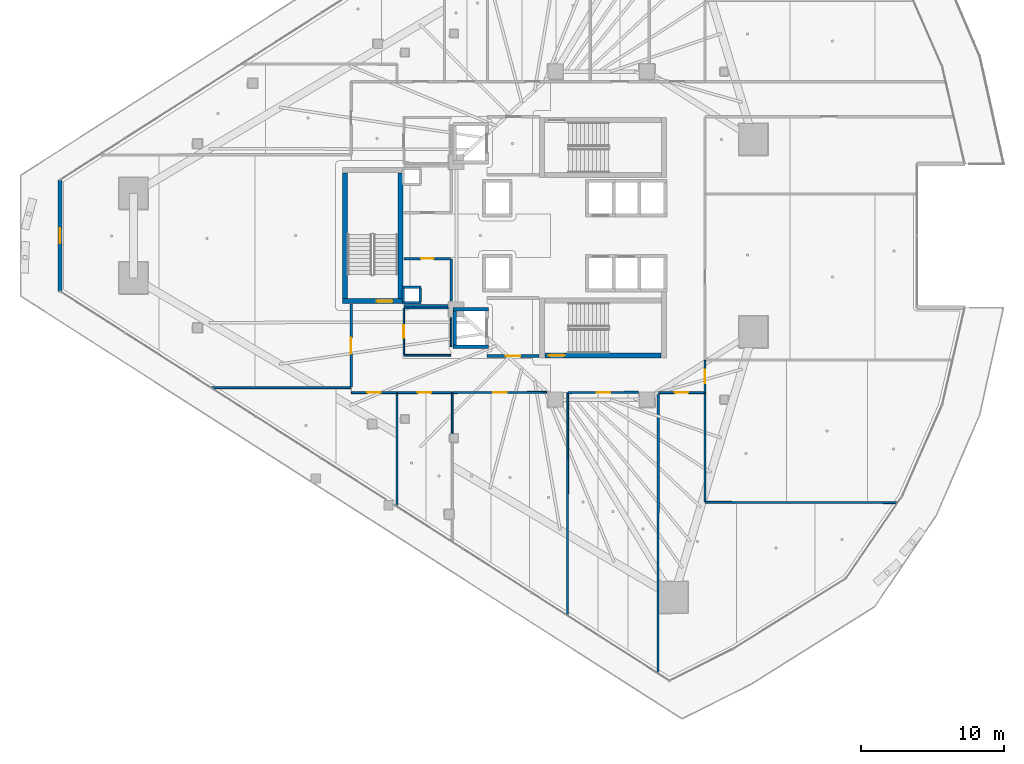
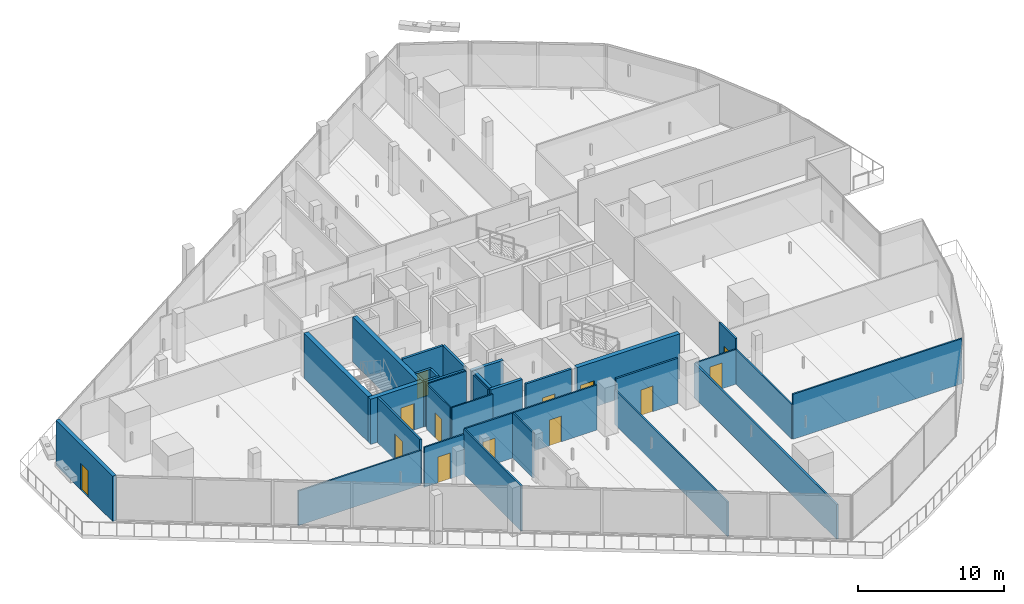
# One storey, part 30 of 45: 34 walls, 13 doors, 13 openings.
"""IFC4 building model written with IfcOpenShell, lengths in metres."""

from ifc_helpers import new_model, si_unit, direction, frame, frame_2d, origin, place, context, subcontext, project, spatial, rectangle, extrude, material, layer, layer_set, type_object, element, fill, save


model = new_model("IFC4")

# Units and contexts
model_context = context("Model", 3, precision=1e-05, world=origin(), true_north=direction((0.0, 1.0)))
body_context = subcontext(model_context, "Body", "Model", "MODEL_VIEW")
ifc_project = project(units=[si_unit("LENGTHUNIT", "METRE"), si_unit("AREAUNIT", "SQUARE_METRE"), si_unit("VOLUMEUNIT", "CUBIC_METRE"), si_unit("PLANEANGLEUNIT", "RADIAN"), si_unit("MASSUNIT", "GRAM", prefix="KILO")], contexts=[model_context])

# Site, building, storey
site_placement = place(None, origin())
site = spatial("IfcSite", under=ifc_project, at=site_placement, CompositionType="ELEMENT")
building_placement = place(site_placement, origin())
building = spatial("IfcBuilding", under=site, at=building_placement, Name="Qorvath Tower", CompositionType="ELEMENT")
storey_placement = place(building_placement, frame((0.0, 0.0, 109.800048828125)))
storey = spatial("IfcBuildingStorey", under=building, at=storey_placement, Name="L24", CompositionType="ELEMENT", Elevation=109.800048828125)

# Walls
ifc_material_1 = material(Name="Gypsum shaftliner on steel studs", Category="steel")
ifc_layer_1 = layer(ifc_material_1, 0.179931640625)
ifc_layer_set_1 = layer_set([ifc_layer_1], Name="FW-LOBBY")
wall_type_1 = type_object("IfcWallType", Name="FW-LOBBY", PredefinedType="PARTITIONING", material=ifc_layer_set_1)
for number, where, z_axis, x_axis, name in (
    (1, (-32.989990234375, -4.675048828125, 0.0), (0.0, 0.0, 1.0), (-1.0, 0.0, 0.0), "MEP Riser Shaft Enclosure Wall S-L24-S"),
    (2, (-34.260009765625, -3.594970703125, 0.0), (0.0, 0.0, 1.0), (1.0, 0.0, 0.0), "MEP Riser Shaft Enclosure Wall S-L24-N"),
):
    element("IfcWall", number, at=place(storey_placement, frame(where, z_axis=z_axis, x_axis=x_axis)), inside=storey, type_object=wall_type_1, Name=name, PredefinedType="PARTITIONING", context=body_context, shape_type="SweptSolid", body=[
        extrude(rectangle(XDim=1.27001953125, YDim=0.179931640625, at=frame_2d((0.635009765625, 0.0))), origin(), (0.0, 0.0, 1.0), 3.77001953125),
    ])
for number, where, z_axis, x_axis, name in (
    (3, (-34.205078125, -4.610107421875, 0.0), (0.0, 0.0, 1.0), (0.0, 1.0, 0.0), "MEP Riser Shaft Enclosure Wall S-L24-W"),
    (4, (-33.044921875, -3.659912109375, 0.0), (0.0, 0.0, 1.0), (0.0, -1.0, 0.0), "MEP Riser Shaft Enclosure Wall S-L24-E"),
):
    element("IfcWall", number, at=place(storey_placement, frame(where, z_axis=z_axis, x_axis=x_axis)), inside=storey, type_object=wall_type_1, Name=name, PredefinedType="PARTITIONING", context=body_context, shape_type="SweptSolid", body=[
        extrude(rectangle(XDim=0.9501953125, YDim=0.179931640625, at=frame_2d((0.47509765625, 0.0))), origin(), (0.0, 0.0, 1.0), 3.77001953125),
    ])

# Wall, opening, door
wall_1_placement = place(storey_placement, frame((-28.35498046875, -8.39990234375, 0.0), z_axis=(0.0, 0.0, 1.0), x_axis=(1.0, 0.0, 0.0)))
wall_1 = element("IfcWall", 5, at=wall_1_placement, inside=storey, type_object=wall_type_1, Name="Interior Partition IW-T1-L24-003", PredefinedType="PARTITIONING", context=body_context, shape_type="SweptSolid", body=[
    extrude(rectangle(XDim=3.6220703125, YDim=0.179931640625, at=frame_2d((1.81103515625, 0.0))), origin(), (0.0, 0.0, 1.0), 3.77001953125),
])
opening_1_placement = place(wall_1_placement, frame((1.31103515625, 0.0, 0.0)))
opening_1 = element("IfcOpeningElement", 6, at=opening_1_placement, cuts=wall_1, Name="Opening D-T1-L24-20", PredefinedType="OPENING", context=body_context, shape_type="SweptSolid", body=[
    extrude(rectangle(XDim=1.0, YDim=2.14990234375, at=frame_2d((0.5, 1.074951171875))), frame((0.0, 0.10009765625, 0.0), z_axis=(0.0, -1.0, 0.0), x_axis=(1.0, 0.0, 0.0)), (0.0, 0.0, 1.0), 0.199951171875),
])
ifc_material_2 = material(Name="Painted galvanised hollow metal", Category="steel")
door_type_1 = type_object("IfcDoorType", Name="FD-60", OperationType="NOTDEFINED", PredefinedType="DOOR", material=ifc_material_2)
door_1_placement = place(opening_1_placement, origin())
door_1 = element("IfcDoor", 7, at=door_1_placement, inside=storey, type_object=door_type_1, Name="Lobby Fire Service Elevator South Door D-T1-L24-20", OperationType="SINGLE_SWING_RIGHT", OverallHeight=2.14990234375, OverallWidth=1.0, PredefinedType="DOOR", context=body_context, shape_type="SweptSolid", body=[
    extrude(rectangle(XDim=1.0, YDim=2.14990234375, at=frame_2d((0.5, 1.074951171875))), frame((0.0, 0.02490234375, 0.0), z_axis=(0.0, -1.0, 0.0), x_axis=(1.0, 0.0, 0.0)), (0.0, 0.0, 1.0), 0.050048828125),
])
fill(opening_1, door_1)

# Walls
wall_2_placement = place(storey_placement, frame((-34.15478515625, -4.89990234375, 0.0), z_axis=(0.0, 0.0, 1.0), x_axis=(1.0, 0.0, 0.0)))
element("IfcWall", 8, at=wall_2_placement, inside=storey, type_object=wall_type_1, Name="Interior Partition IW-T1-L24-016", PredefinedType="PARTITIONING", context=body_context, shape_type="SweptSolid", body=[
    extrude(rectangle(XDim=3.064697265625, YDim=0.179931640625, at=frame_2d((1.5322265625, 0.0))), origin(), (0.0, 0.0, 1.0), 3.77001953125),
])
wall_3_placement = place(storey_placement, frame((-30.8798828125, -4.56005859375, 0.0), z_axis=(0.0, 0.0, 1.0), x_axis=(0.0, 1.0, 0.0)))
element("IfcWall", 9, at=wall_3_placement, inside=storey, type_object=wall_type_1, Name="Interior Partition IW-T1-L24-017", PredefinedType="PARTITIONING", context=body_context, shape_type="SweptSolid", body=[
    extrude(rectangle(XDim=2.93505859375, YDim=0.179931640625, at=frame_2d((1.467529296875, 0.0))), origin(), (0.0, 0.0, 1.0), 3.77001953125),
])

# Wall, opening, door
wall_4_placement = place(storey_placement, frame((-30.90478515625, -1.60009765625, 0.0), z_axis=(0.0, 0.0, 1.0), x_axis=(-1.0, 0.0, 0.0)))
wall_4 = element("IfcWall", 10, at=wall_4_placement, inside=storey, type_object=wall_type_1, Name="Interior Partition IW-T1-L24-018", PredefinedType="PARTITIONING", context=body_context, shape_type="SweptSolid", body=[
    extrude(rectangle(XDim=3.25, YDim=0.179931640625, at=frame_2d((1.625, 0.0))), origin(), (0.0, 0.0, 1.0), 3.77001953125),
])
opening_2_placement = place(wall_4_placement, frame((1.18505859375, 0.0, 0.0)))
opening_2 = element("IfcOpeningElement", 11, at=opening_2_placement, cuts=wall_4, Name="Opening D-T1-L24-04", PredefinedType="OPENING", context=body_context, shape_type="SweptSolid", body=[
    extrude(rectangle(XDim=0.8798828125, YDim=2.10009765625, at=frame_2d((0.43994140625, 1.050048828125))), frame((0.0, 0.10009765625, 0.0), z_axis=(0.0, -1.0, 0.0), x_axis=(1.0, 0.0, 0.0)), (0.0, 0.0, 1.0), 0.199951171875),
])
ifc_material_3 = material(Name="Painted galvanised hollow metal", Category="steel")
door_type_2 = type_object("IfcDoorType", Name="FD-60N", OperationType="NOTDEFINED", PredefinedType="DOOR", material=ifc_material_3)
door_2_placement = place(opening_2_placement, origin())
door_2 = element("IfcDoor", 12, at=door_2_placement, inside=storey, type_object=door_type_2, Name="Core electrical room L24 Door D-T1-L24-04", OperationType="SINGLE_SWING_RIGHT", OverallHeight=2.10009765625, OverallWidth=0.8798828125, PredefinedType="DOOR", context=body_context, shape_type="SweptSolid", body=[
    extrude(rectangle(XDim=0.8798828125, YDim=2.10009765625, at=frame_2d((0.43994140625, 1.050048828125))), frame((0.0, 0.02490234375, 0.0), z_axis=(0.0, -1.0, 0.0), x_axis=(1.0, 0.0, 0.0)), (0.0, 0.0, 1.0), 0.050048828125),
])
fill(opening_2, door_2)

ifc_material_4 = material(Name="Double acoustic gypsum board on steel studs", Category="steel")
ifc_layer_2 = layer(ifc_material_4, 0.159912109375)
ifc_layer_set_2 = layer_set([ifc_layer_2], Name="IW-ACOUSTIC-160")
wall_type_2 = type_object("IfcWallType", Name="IW-ACOUSTIC-160", PredefinedType="PARTITIONING", material=ifc_layer_set_2)
wall_5_placement = place(storey_placement, frame((-17.7900390625, -10.938232421875, 0.0), z_axis=(0.0, 0.0, 1.0), x_axis=(-0.99999189155, -0.004027013186, 0.0)))
wall_5 = element("IfcWall", 13, at=wall_5_placement, inside=storey, type_object=wall_type_2, Name="Interior Partition IW-T1-L24-040", PredefinedType="PARTITIONING", context=body_context, shape_type="SweptSolid", body=[
    extrude(rectangle(XDim=4.91064453125, YDim=0.159912109375, at=frame_2d((2.455322265625, 0.0))), origin(), (0.0, 0.0, 1.0), 3.77001953125),
])
opening_3_placement = place(wall_5_placement, frame((1.98046875, 0.0, 0.0)))
opening_3 = element("IfcOpeningElement", 14, at=opening_3_placement, cuts=wall_5, Name="Opening D-T1-L24-12", PredefinedType="OPENING", context=body_context, shape_type="SweptSolid", body=[
    extrude(rectangle(XDim=0.949951171875, YDim=2.14990234375, at=frame_2d((0.47509765625, 1.074951171875))), frame((0.0, 0.08984375, 0.0), z_axis=(0.0, -1.0, 0.0), x_axis=(1.0, 0.0, 0.0)), (0.0, 0.0, 1.0), 0.179931640625),
])
ifc_material_5 = material(Name="Solid-core American white oak veneer", Category="wood")
door_type_3 = type_object("IfcDoorType", Name="D-01", OperationType="NOTDEFINED", PredefinedType="DOOR", material=ifc_material_5)
door_3_placement = place(opening_3_placement, origin())
door_3 = element("IfcDoor", 15, at=door_3_placement, inside=storey, type_object=door_type_3, Name="L24-08 Breakout Reading Alcove Door D-T1-L24-12", OperationType="SINGLE_SWING_RIGHT", OverallHeight=2.14990234375, OverallWidth=0.949951171875, PredefinedType="DOOR", context=body_context, shape_type="SweptSolid", body=[
    extrude(rectangle(XDim=0.949951171875, YDim=2.14990234375, at=frame_2d((0.47509765625, 1.074951171875))), frame((0.0, 0.02490234375, 0.0), z_axis=(0.0, -1.0, 0.0), x_axis=(1.0, 0.0, 0.0)), (0.0, 0.0, 1.0), 0.050048828125),
])
fill(opening_3, door_3)

# Wall
wall_6_placement = place(storey_placement, frame((-16.43310546875, -30.493408203125, 0.0), z_axis=(0.0, 0.0, 1.0), x_axis=(0.000925983461, 0.999999571277, 0.0)))
element("IfcWall", 16, at=wall_6_placement, inside=storey, type_object=wall_type_2, Name="Interior Partition IW-T1-L24-041", PredefinedType="PARTITIONING", context=body_context, shape_type="SweptSolid", body=[
    extrude(rectangle(XDim=19.510498046875, YDim=0.159912109375, at=frame_2d((9.75537109375, 0.0))), origin(), (0.0, 0.0, 1.0), 2.885009765625),
])

# Wall, opening, door
wall_7_placement = place(storey_placement, frame((-37.85791015625, -10.57568359375, 0.0), z_axis=(0.0, 0.0, 1.0), x_axis=(0.0, 1.0, 0.0)))
wall_7 = element("IfcWall", 17, at=wall_7_placement, inside=storey, type_object=wall_type_2, Name="Interior Partition IW-T1-L24-054", PredefinedType="PARTITIONING", context=body_context, shape_type="SweptSolid", body=[
    extrude(rectangle(XDim=5.79248046875, YDim=0.159912109375, at=frame_2d((2.896240234375, 0.0))), origin(), (0.0, 0.0, 1.0), 3.77001953125),
])
opening_4_placement = place(wall_7_placement, frame((2.34619140625, 0.0, 0.0)))
opening_4 = element("IfcOpeningElement", 18, at=opening_4_placement, cuts=wall_7, Name="Opening D-T1-L24-17", PredefinedType="OPENING", context=body_context, shape_type="SweptSolid", body=[
    extrude(rectangle(XDim=1.10009765625, YDim=2.14990234375, at=frame_2d((0.550048828125, 1.074951171875))), frame((0.0, 0.08984375, 0.0), z_axis=(0.0, -1.0, 0.0), x_axis=(1.0, 0.0, 0.0)), (0.0, 0.0, 1.0), 0.179931640625),
])
ifc_material_6 = material(Name="Anodised aluminium acoustic framed glass", Category="aluminium")
door_type_4 = type_object("IfcDoorType", Name="D-03", OperationType="NOTDEFINED", PredefinedType="DOOR", material=ifc_material_6)
door_4_placement = place(opening_4_placement, origin())
door_4 = element("IfcDoor", 19, at=door_4_placement, inside=storey, type_object=door_type_4, Name="L24-14 Client Services Office Door D-T1-L24-17", OperationType="SINGLE_SWING_LEFT", OverallHeight=2.14990234375, OverallWidth=1.10009765625, PredefinedType="DOOR", context=body_context, shape_type="SweptSolid", body=[
    extrude(rectangle(XDim=1.10009765625, YDim=2.14990234375, at=frame_2d((0.550048828125, 1.074951171875))), frame((0.0, 0.02490234375, 0.0), z_axis=(0.0, -1.0, 0.0), x_axis=(1.0, 0.0, 0.0)), (0.0, 0.0, 1.0), 0.050048828125),
])
fill(opening_4, door_4)

ifc_material_7 = material(Name="Gypsum board on metal studs with mineral wool", Category="gypsum")
ifc_layer_3 = layer(ifc_material_7, 0.125)
ifc_layer_set_3 = layer_set([ifc_layer_3], Name="IW-PART-125")
wall_type_3 = type_object("IfcWallType", Name="IW-PART-125", PredefinedType="PARTITIONING", material=ifc_layer_set_3)
wall_8_placement = place(storey_placement, frame((-30.816650390625, -10.9580078125, 0.0), z_axis=(0.0, 0.0, 1.0), x_axis=(-1.0, 0.0, 0.0)))
wall_8 = element("IfcWall", 20, at=wall_8_placement, inside=storey, type_object=wall_type_3, Name="Interior Partition IW-T1-L24-033", PredefinedType="PARTITIONING", context=body_context, shape_type="SweptSolid", body=[
    extrude(rectangle(XDim=3.808349609375, YDim=0.125, at=frame_2d((1.904296875, 0.0))), origin(), (0.0, 0.0, 1.0), 3.77001953125),
])
opening_5_placement = place(wall_8_placement, frame((1.42919921875, 0.0, 0.0)))
opening_5 = element("IfcOpeningElement", 21, at=opening_5_placement, cuts=wall_8, Name="Opening D-T1-L24-10", PredefinedType="OPENING", context=body_context, shape_type="SweptSolid", body=[
    extrude(rectangle(XDim=0.949951171875, YDim=2.14990234375, at=frame_2d((0.47509765625, 1.074951171875))), frame((0.0, 0.072509765625, 0.0), z_axis=(0.0, -1.0, 0.0), x_axis=(1.0, 0.0, 0.0)), (0.0, 0.0, 1.0), 0.14501953125),
])
door_5_placement = place(opening_5_placement, origin())
door_5 = element("IfcDoor", 22, at=door_5_placement, inside=storey, type_object=door_type_3, Name="L24-06 Staff Wellness Studio Door D-T1-L24-10", OperationType="SINGLE_SWING_RIGHT", OverallHeight=2.14990234375, OverallWidth=0.949951171875, PredefinedType="DOOR", context=body_context, shape_type="SweptSolid", body=[
    extrude(rectangle(XDim=0.949951171875, YDim=2.14990234375, at=frame_2d((0.47509765625, 1.074951171875))), frame((0.0, 0.02490234375, 0.0), z_axis=(0.0, -1.0, 0.0), x_axis=(1.0, 0.0, 0.0)), (0.0, 0.0, 1.0), 0.050048828125),
])
fill(opening_5, door_5)

# Walls
wall_9_placement = place(storey_placement, frame((-34.64990234375, -10.98291015625, 0.0), z_axis=(0.0, 0.0, 1.0), x_axis=(0.0, -1.0, 0.0)))
element("IfcWall", 23, at=wall_9_placement, inside=storey, type_object=wall_type_3, Name="Interior Partition IW-T1-L24-034", PredefinedType="PARTITIONING", context=body_context, shape_type="SweptSolid", body=[
    extrude(rectangle(XDim=7.86767578125, YDim=0.125, at=frame_2d((3.933837890625, 0.0))), origin(), (0.0, 0.0, 1.0), 3.77001953125),
])
wall_10_placement = place(storey_placement, frame((-30.791748046875, -13.7841796875, 0.0), z_axis=(0.0, 0.0, 1.0), x_axis=(0.0, 1.0, 0.0)))
element("IfcWall", 24, at=wall_10_placement, inside=storey, type_object=wall_type_3, Name="Interior Partition IW-T1-L24-037", PredefinedType="PARTITIONING", context=body_context, shape_type="SweptSolid", body=[
    extrude(rectangle(XDim=2.80126953125, YDim=0.125, at=frame_2d((1.400634765625, 0.0))), origin(), (0.0, 0.0, 1.0), 3.77001953125),
])

# Wall, opening, door
wall_11_placement = place(storey_placement, frame((-24.18994140625, -10.938232421875, 0.0), z_axis=(0.0, 0.0, 1.0), x_axis=(-0.999995468533, -0.003010467292, 0.0)))
wall_11 = element("IfcWall", 25, at=wall_11_placement, inside=storey, type_object=wall_type_3, Name="Interior Partition IW-T1-L24-038", PredefinedType="PARTITIONING", context=body_context, shape_type="SweptSolid", body=[
    extrude(rectangle(XDim=6.56884765625, YDim=0.125, at=frame_2d((3.284423828125, 0.0))), origin(), (0.0, 0.0, 1.0), 3.77001953125),
])
opening_6_placement = place(wall_11_placement, frame((2.8095703125, 0.0, 0.0)))
opening_6 = element("IfcOpeningElement", 26, at=opening_6_placement, cuts=wall_11, Name="Opening D-T1-L24-11", PredefinedType="OPENING", context=body_context, shape_type="SweptSolid", body=[
    extrude(rectangle(XDim=0.949951171875, YDim=2.14990234375, at=frame_2d((0.47509765625, 1.074951171875))), frame((0.0, 0.072509765625, 0.0), z_axis=(0.0, -1.0, 0.0), x_axis=(1.0, 0.0, 0.0)), (0.0, 0.0, 1.0), 0.14501953125),
])
door_6_placement = place(opening_6_placement, origin())
door_6 = element("IfcDoor", 27, at=door_6_placement, inside=storey, type_object=door_type_3, Name="L24-07 Design Pin-Up Atelier Door D-T1-L24-11", OperationType="SINGLE_SWING_LEFT", OverallHeight=2.14990234375, OverallWidth=0.949951171875, PredefinedType="DOOR", context=body_context, shape_type="SweptSolid", body=[
    extrude(rectangle(XDim=0.949951171875, YDim=2.14990234375, at=frame_2d((0.47509765625, 1.074951171875))), frame((0.0, 0.02490234375, 0.0), z_axis=(0.0, -1.0, 0.0), x_axis=(1.0, 0.0, 0.0)), (0.0, 0.0, 1.0), 0.050048828125),
])
fill(opening_6, door_6)

# Walls
wall_12_placement = place(storey_placement, frame((-22.751708984375, -26.454833984375, 0.0), z_axis=(0.0, 0.0, 1.0), x_axis=(0.001167688914, 0.999999318251, 0.0)))
element("IfcWall", 28, at=wall_12_placement, inside=storey, type_object=wall_type_3, Name="Interior Partition IW-T1-L24-039", PredefinedType="PARTITIONING", context=body_context, shape_type="SweptSolid", body=[
    extrude(rectangle(XDim=15.471923828125, YDim=0.125, at=frame_2d((7.73583984375, 0.0))), origin(), (0.0, 0.0, 1.0), 2.885009765625),
])
wall_13_placement = place(storey_placement, frame((0.229248046875, -18.638916015625, 0.0), z_axis=(0.0, 0.0, 1.0), x_axis=(-0.999999034754, 0.001389420769, 0.0)))
element("IfcWall", 29, at=wall_13_placement, inside=storey, type_object=wall_type_3, Name="Interior Partition IW-T1-L24-042", PredefinedType="PARTITIONING", context=body_context, shape_type="SweptSolid", body=[
    extrude(rectangle(XDim=13.354248046875, YDim=0.125, at=frame_2d((6.67724609375, 0.0))), origin(), (0.0, 0.0, 1.0), 3.77001953125),
])
wall_14_placement = place(storey_placement, frame((-13.14990234375, -10.98291015625, 0.0), z_axis=(0.0, 0.0, 1.0), x_axis=(0.0, -1.0, 0.0)))
element("IfcWall", 30, at=wall_14_placement, inside=storey, type_object=wall_type_3, Name="Interior Partition IW-T1-L24-043", PredefinedType="PARTITIONING", context=body_context, shape_type="SweptSolid", body=[
    extrude(rectangle(XDim=7.612548828125, YDim=0.125, at=frame_2d((3.80615234375, 0.0))), origin(), (0.0, 0.0, 1.0), 2.889892578125),
])

# Wall, opening, door
wall_15_placement = place(storey_placement, frame((-13.1748046875, -10.9580078125, 0.0), z_axis=(0.0, 0.0, 1.0), x_axis=(-1.0, 0.0, 0.0)))
wall_15 = element("IfcWall", 31, at=wall_15_placement, inside=storey, type_object=wall_type_3, Name="Interior Partition IW-T1-L24-044", PredefinedType="PARTITIONING", context=body_context, shape_type="SweptSolid", body=[
    extrude(rectangle(XDim=3.207275390625, YDim=0.125, at=frame_2d((1.603515625, 0.0))), origin(), (0.0, 0.0, 1.0), 2.885009765625),
])
opening_7_placement = place(wall_15_placement, frame((1.128662109375, 0.0, 0.0)))
opening_7 = element("IfcOpeningElement", 32, at=opening_7_placement, cuts=wall_15, Name="Opening D-T1-L24-13", PredefinedType="OPENING", context=body_context, shape_type="SweptSolid", body=[
    extrude(rectangle(XDim=0.949951171875, YDim=2.14990234375, at=frame_2d((0.47509765625, 1.074951171875))), frame((0.0, 0.072509765625, 0.0), z_axis=(0.0, -1.0, 0.0), x_axis=(1.0, 0.0, 0.0)), (0.0, 0.0, 1.0), 0.14501953125),
])
door_7_placement = place(opening_7_placement, origin())
door_7 = element("IfcDoor", 33, at=door_7_placement, inside=storey, type_object=door_type_3, Name="L24-09 Quantitative Research Studio Door D-T1-L24-13", OperationType="SINGLE_SWING_LEFT", OverallHeight=2.14990234375, OverallWidth=0.949951171875, PredefinedType="DOOR", context=body_context, shape_type="SweptSolid", body=[
    extrude(rectangle(XDim=0.949951171875, YDim=2.14990234375, at=frame_2d((0.47509765625, 1.074951171875))), frame((0.0, 0.02490234375, 0.0), z_axis=(0.0, -1.0, 0.0), x_axis=(1.0, 0.0, 0.0)), (0.0, 0.0, 1.0), 0.050048828125),
])
fill(opening_7, door_7)

wall_16_placement = place(storey_placement, frame((-13.14208984375, -8.701904296875, 0.0), z_axis=(0.0, 0.0, 1.0), x_axis=(0.0, -1.0, 0.0)))
wall_16 = element("IfcWall", 34, at=wall_16_placement, inside=storey, type_object=wall_type_3, Name="Interior Partition IW-T1-L24-046", PredefinedType="PARTITIONING", context=body_context, shape_type="SweptSolid", body=[
    extrude(rectangle(XDim=2.256103515625, YDim=0.125, at=frame_2d((1.1279296875, 0.0))), origin(), (0.0, 0.0, 1.0), 3.77001953125),
])
opening_8_placement = place(wall_16_placement, frame((0.653076171875, 0.0, 0.0)))
opening_8 = element("IfcOpeningElement", 35, at=opening_8_placement, cuts=wall_16, Name="Opening D-T1-L24-14", PredefinedType="OPENING", context=body_context, shape_type="SweptSolid", body=[
    extrude(rectangle(XDim=0.949951171875, YDim=2.14990234375, at=frame_2d((0.47509765625, 1.074951171875))), frame((0.0, 0.072509765625, 0.0), z_axis=(0.0, -1.0, 0.0), x_axis=(1.0, 0.0, 0.0)), (0.0, 0.0, 1.0), 0.14501953125),
])
door_8_placement = place(opening_8_placement, origin())
door_8 = element("IfcDoor", 36, at=door_8_placement, inside=storey, type_object=door_type_3, Name="L24-10 Engineering Documentation Suite Door D-T1-L24-14", OperationType="SINGLE_SWING_RIGHT", OverallHeight=2.14990234375, OverallWidth=0.949951171875, PredefinedType="DOOR", context=body_context, shape_type="SweptSolid", body=[
    extrude(rectangle(XDim=0.949951171875, YDim=2.14990234375, at=frame_2d((0.47509765625, 1.074951171875))), frame((0.0, 0.02490234375, 0.0), z_axis=(0.0, -1.0, 0.0), x_axis=(1.0, 0.0, 0.0)), (0.0, 0.0, 1.0), 0.050048828125),
])
fill(opening_8, door_8)

wall_17_placement = place(storey_placement, frame((-34.68310546875, -10.9580078125, 0.0), z_axis=(0.0, 0.0, 1.0), x_axis=(-1.0, 0.0, 0.0)))
wall_17 = element("IfcWall", 37, at=wall_17_placement, inside=storey, type_object=wall_type_3, Name="Interior Partition IW-T1-L24-052", PredefinedType="PARTITIONING", context=body_context, shape_type="SweptSolid", body=[
    extrude(rectangle(XDim=3.14990234375, YDim=0.125, at=frame_2d((1.574951171875, 0.0))), origin(), (0.0, 0.0, 1.0), 3.334228515625),
])
opening_9_placement = place(wall_17_placement, frame((1.099853515625, 0.0, 0.0)))
opening_9 = element("IfcOpeningElement", 38, at=opening_9_placement, cuts=wall_17, Name="Opening D-T1-L24-21", PredefinedType="OPENING", context=body_context, shape_type="SweptSolid", body=[
    extrude(rectangle(XDim=0.949951171875, YDim=2.14990234375, at=frame_2d((0.47509765625, 1.074951171875))), frame((0.0, 0.072509765625, 0.0), z_axis=(0.0, -1.0, 0.0), x_axis=(1.0, 0.0, 0.0)), (0.0, 0.0, 1.0), 0.14501953125),
])
door_9_placement = place(opening_9_placement, origin())
door_9 = element("IfcDoor", 39, at=door_9_placement, inside=storey, type_object=door_type_3, Name="L24-13 Staff Refreshment Pantry and Coffee Bar Door D-T1-L24-21", OperationType="SINGLE_SWING_LEFT", OverallHeight=2.14990234375, OverallWidth=0.949951171875, PredefinedType="DOOR", context=body_context, shape_type="SweptSolid", body=[
    extrude(rectangle(XDim=0.949951171875, YDim=2.14990234375, at=frame_2d((0.47509765625, 1.074951171875))), frame((0.0, 0.02490234375, 0.0), z_axis=(0.0, -1.0, 0.0), x_axis=(1.0, 0.0, 0.0)), (0.0, 0.0, 1.0), 0.050048828125),
])
fill(opening_9, door_9)

# Walls
wall_18_placement = place(storey_placement, frame((-37.8828125, -10.6083984375, 0.0), z_axis=(0.0, 0.0, 1.0), x_axis=(-1.0, 0.0, 0.0)))
element("IfcWall", 40, at=wall_18_placement, inside=storey, type_object=wall_type_3, Name="Interior Partition IW-T1-L24-053", PredefinedType="PARTITIONING", context=body_context, shape_type="SweptSolid", body=[
    extrude(rectangle(XDim=9.7080078125, YDim=0.125, at=frame_2d((4.85400390625, 0.0))), origin(), (0.0, 0.0, 1.0), 2.889892578125),
])
ifc_material_8 = material(Name="Moisture-resistant cement board on metal studs", Category="gypsum")
ifc_layer_4 = layer(ifc_material_8, 0.110107421875)
ifc_layer_set_4 = layer_set([ifc_layer_4], Name="IW-WC-110")
wall_type_4 = type_object("IfcWallType", Name="IW-WC-110", PredefinedType="PARTITIONING", material=ifc_layer_set_4)
wall_19_placement = place(storey_placement, frame((-34.15478515625, -8.35009765625, 0.0), z_axis=(0.0, 0.0, 1.0), x_axis=(1.0, 0.0, 0.0)))
element("IfcWall", 41, at=wall_19_placement, inside=storey, type_object=wall_type_4, Name="Interior Partition IW-T1-L24-009", PredefinedType="PARTITIONING", context=body_context, shape_type="SweptSolid", body=[
    extrude(rectangle(XDim=3.25, YDim=0.110107421875, at=frame_2d((1.625, 0.0))), origin(), (0.0, 0.0, 1.0), 3.77001953125),
])
wall_20_placement = place(storey_placement, frame((-30.8798828125, -7.742919921875, 0.0), z_axis=(0.0, 0.0, 1.0), x_axis=(0.0, 1.0, 0.0)))
element("IfcWall", 42, at=wall_20_placement, inside=storey, type_object=wall_type_4, Name="Interior Partition IW-T1-L24-010", PredefinedType="PARTITIONING", context=body_context, shape_type="SweptSolid", body=[
    extrude(rectangle(XDim=2.0029296875, YDim=0.110107421875, at=frame_2d((1.00146484375, 0.0))), origin(), (0.0, 0.0, 1.0), 3.77001953125),
])
wall_21_placement = place(storey_placement, frame((-31.090087890625, -5.050048828125, 0.0), z_axis=(0.0, 0.0, 1.0), x_axis=(-1.0, 0.0, 0.0)))
element("IfcWall", 43, at=wall_21_placement, inside=storey, type_object=wall_type_4, Name="Interior Partition IW-T1-L24-011", PredefinedType="PARTITIONING", context=body_context, shape_type="SweptSolid", body=[
    extrude(rectangle(XDim=3.064697265625, YDim=0.110107421875, at=frame_2d((1.5322265625, 0.0))), origin(), (0.0, 0.0, 1.0), 3.77001953125),
])

# Wall, opening, door
wall_22_placement = place(storey_placement, frame((-34.179931640625, -5.074951171875, 0.0), z_axis=(0.0, 0.0, 1.0), x_axis=(0.0, -1.0, 0.0)))
wall_22 = element("IfcWall", 44, at=wall_22_placement, inside=storey, type_object=wall_type_4, Name="Interior Partition IW-T1-L24-012", PredefinedType="PARTITIONING", context=body_context, shape_type="SweptSolid", body=[
    extrude(rectangle(XDim=3.250244140625, YDim=0.110107421875, at=frame_2d((1.625, 0.0))), origin(), (0.0, 0.0, 1.0), 3.77001953125),
])
opening_10_placement = place(wall_22_placement, frame((1.18505859375, 0.0, 0.0)))
opening_10 = element("IfcOpeningElement", 45, at=opening_10_placement, cuts=wall_22, Name="Opening D-T1-L24-02", PredefinedType="OPENING", context=body_context, shape_type="SweptSolid", body=[
    extrude(rectangle(XDim=0.8798828125, YDim=2.10009765625, at=frame_2d((0.43994140625, 1.050048828125))), frame((0.0, 0.06494140625, 0.0), z_axis=(0.0, -1.0, 0.0), x_axis=(1.0, 0.0, 0.0)), (0.0, 0.0, 1.0), 0.130126953125),
])
ifc_material_9 = material(Name="Solid-core oak with acoustic drop seal", Category="wood")
door_type_5 = type_object("IfcDoorType", Name="D-02", OperationType="NOTDEFINED", PredefinedType="DOOR", material=ifc_material_9)
door_10_placement = place(opening_10_placement, origin())
door_10 = element("IfcDoor", 46, at=door_10_placement, inside=storey, type_object=door_type_5, Name="Accessible WC South L24 Door D-T1-L24-02", OperationType="SINGLE_SWING_RIGHT", OverallHeight=2.10009765625, OverallWidth=0.8798828125, PredefinedType="DOOR", context=body_context, shape_type="SweptSolid", body=[
    extrude(rectangle(XDim=0.8798828125, YDim=2.10009765625, at=frame_2d((0.43994140625, 1.050048828125))), frame((0.0, 0.02490234375, 0.0), z_axis=(0.0, -1.0, 0.0), x_axis=(1.0, 0.0, 0.0)), (0.0, 0.0, 1.0), 0.050048828125),
])
fill(opening_10, door_10)

# Walls
ifc_material_10 = material(Name="Concrete C60/75", Category="concrete")
ifc_layer_5 = layer(ifc_material_10, 0.260009765625)
ifc_layer_set_5 = layer_set([ifc_layer_5], Name="SW-SHAFT")
wall_type_5 = type_object("IfcWallType", Name="SW-SHAFT", PredefinedType="SHEAR", material=ifc_layer_set_5)
for number, where, z_axis, x_axis, name in (
    (47, (-28.260009765625, -7.77001953125, 0.0), (0.0, 0.0, 1.0), (-1.0, 0.0, 0.0), "Hoistway Wall FSAE-2 L24 S"),
    (48, (-30.739990234375, -5.1298828125, 0.0), (0.0, 0.0, 1.0), (1.0, 0.0, 0.0), "Hoistway Wall FSAE-2 L24 N"),
):
    element("IfcWall", number, at=place(storey_placement, frame(where, z_axis=z_axis, x_axis=x_axis)), inside=storey, type_object=wall_type_5, Name=name, PredefinedType="SHEAR", context=body_context, shape_type="SweptSolid", body=[
        extrude(rectangle(XDim=2.47998046875, YDim=0.239990234375, at=frame_2d((1.239990234375, 0.0))), origin(), (0.0, 0.0, 1.0), 3.77001953125),
    ])
wall_23_placement = place(storey_placement, frame((-30.6201171875, -7.637939453125, 0.0), z_axis=(0.0, 0.0, 1.0), x_axis=(0.0, 1.0, 0.0)))
element("IfcWall", 49, at=wall_23_placement, inside=storey, type_object=wall_type_5, Name="Hoistway Wall FSAE-2 L24 W", PredefinedType="SHEAR", context=body_context, shape_type="SweptSolid", body=[
    extrude(rectangle(XDim=2.3759765625, YDim=0.239990234375, at=frame_2d((1.18798828125, 0.0))), origin(), (0.0, 0.0, 1.0), 3.77001953125),
])

# Wall, opening, door
ifc_material_11 = material(Name="Concrete C60/75", Category="concrete")
ifc_layer_6 = layer(ifc_material_11, 0.35009765625)
ifc_layer_set_6 = layer_set([ifc_layer_6], Name="SW-STAIR")
wall_type_6 = type_object("IfcWallType", Name="SW-STAIR", PredefinedType="SHEAR", material=ifc_layer_set_6)
wall_24_placement = place(storey_placement, frame((-24.3349609375, -8.375, 0.0), z_axis=(0.0, 0.0, 1.0), x_axis=(1.0, 0.0, 0.0)))
wall_24 = element("IfcWall", 50, at=wall_24_placement, inside=storey, type_object=wall_type_6, Name="Stair TS2 Shear Wall L24 LEFT", PredefinedType="SHEAR", context=body_context, shape_type="SweptSolid", body=[
    extrude(rectangle(XDim=8.119873046875, YDim=0.35009765625, at=frame_2d((4.06005859375, 0.0))), origin(), (0.0, 0.0, 1.0), 3.77001953125),
])
opening_11_placement = place(wall_24_placement, frame((0.280029296875, 0.0, 0.0)))
opening_11 = element("IfcOpeningElement", 51, at=opening_11_placement, cuts=wall_24, Name="Opening D-TS2-L24", PredefinedType="OPENING", context=body_context, shape_type="SweptSolid", body=[
    extrude(rectangle(XDim=1.10009765625, YDim=2.199951171875, at=frame_2d((0.550048828125, 1.10009765625))), frame((0.0, 0.18505859375, 0.0), z_axis=(0.0, -1.0, 0.0), x_axis=(1.0, 0.0, 0.0)), (0.0, 0.0, 1.0), 0.3701171875),
])
ifc_material_12 = material(Name="Painted galvanised hollow metal", Category="steel")
door_type_6 = type_object("IfcDoorType", Name="FD-90", OperationType="NOTDEFINED", PredefinedType="DOOR", material=ifc_material_12)
door_11_placement = place(opening_11_placement, origin())
door_11 = element("IfcDoor", 52, at=door_11_placement, inside=storey, type_object=door_type_6, Name="Stair TS2 Fire Door L24", OperationType="SINGLE_SWING_LEFT", OverallHeight=2.199951171875, OverallWidth=1.10009765625, PredefinedType="DOOR", context=body_context, shape_type="SweptSolid", body=[
    extrude(rectangle(XDim=1.10009765625, YDim=2.199951171875, at=frame_2d((0.550048828125, 1.10009765625))), frame((0.0, 0.02490234375, 0.0), z_axis=(0.0, -1.0, 0.0), x_axis=(1.0, 0.0, 0.0)), (0.0, 0.0, 1.0), 0.050048828125),
])
fill(opening_11, door_11)

wall_25_placement = place(storey_placement, frame((-38.4599609375, -4.574951171875, 0.0), z_axis=(0.0, 0.0, 1.0), x_axis=(1.0, 0.0, 0.0)))
wall_25 = element("IfcWall", 53, at=wall_25_placement, inside=storey, type_object=wall_type_6, Name="Stair TS3 Shear Wall L24 NEAR", PredefinedType="SHEAR", context=body_context, shape_type="SweptSolid", body=[
    extrude(rectangle(XDim=4.2099609375, YDim=0.35009765625, at=frame_2d((2.10498046875, 0.0))), origin(), (0.0, 0.0, 1.0), 3.77001953125),
])
opening_12_placement = place(wall_25_placement, frame((2.389892578125, 0.0, 0.0)))
opening_12 = element("IfcOpeningElement", 54, at=opening_12_placement, cuts=wall_25, Name="Opening D-TS3-L24", PredefinedType="OPENING", context=body_context, shape_type="SweptSolid", body=[
    extrude(rectangle(XDim=1.10009765625, YDim=2.199951171875, at=frame_2d((0.550048828125, 1.10009765625))), frame((0.0, 0.18505859375, 0.0), z_axis=(0.0, -1.0, 0.0), x_axis=(1.0, 0.0, 0.0)), (0.0, 0.0, 1.0), 0.3701171875),
])
door_12_placement = place(opening_12_placement, origin())
door_12 = element("IfcDoor", 55, at=door_12_placement, inside=storey, type_object=door_type_6, Name="Stair TS3 Fire Door L24", OperationType="SINGLE_SWING_LEFT", OverallHeight=2.199951171875, OverallWidth=1.10009765625, PredefinedType="DOOR", context=body_context, shape_type="SweptSolid", body=[
    extrude(rectangle(XDim=1.10009765625, YDim=2.199951171875, at=frame_2d((0.550048828125, 1.10009765625))), frame((0.0, 0.02490234375, 0.0), z_axis=(0.0, -1.0, 0.0), x_axis=(1.0, 0.0, 0.0)), (0.0, 0.0, 1.0), 0.050048828125),
])
fill(opening_12, door_12)

# Walls
for number, where, z_axis, x_axis, name in (
    (56, (-34.425048828125, -4.385009765625, 0.0), (0.0, 0.0, 1.0), (0.0, 1.0, 0.0), "Stair TS3 Shear Wall L24 LEFT"),
    (57, (-38.284912109375, 4.385009765625, 0.0), (0.0, 0.0, 1.0), (0.0, -1.0, 0.0), "Stair TS3 Shear Wall L24 RIGHT"),
):
    element("IfcWall", number, at=place(storey_placement, frame(where, z_axis=z_axis, x_axis=x_axis)), inside=storey, type_object=wall_type_6, Name=name, PredefinedType="SHEAR", context=body_context, shape_type="SweptSolid", body=[
        extrude(rectangle(XDim=8.77001953125, YDim=0.35009765625, at=frame_2d((4.385009765625, 0.0))), origin(), (0.0, 0.0, 1.0), 3.77001953125),
    ])

# Wall, opening, door
ifc_material_13 = material(Name="Precast concrete C45/55", Category="concrete")
ifc_layer_7 = layer(ifc_material_13, 0.300048828125)
ifc_layer_set_7 = layer_set([ifc_layer_7], Name="WL-EW-LOG-300")
wall_type_7 = type_object("IfcWallType", Name="WL-EW-LOG-300", PredefinedType="SOLIDWALL", material=ifc_layer_set_7)
wall_26_placement = place(storey_placement, frame((-58.1904296875, -3.885009765625, 0.0), z_axis=(0.0, 0.0, 1.0), x_axis=(0.0, 1.0, 0.0)))
wall_26 = element("IfcWall", 58, at=wall_26_placement, inside=storey, type_object=wall_type_7, Name="Tower Precast Loggia Wall L24-1.1", PredefinedType="SOLIDWALL", context=body_context, shape_type="SweptSolid", body=[
    extrude(rectangle(XDim=7.77001953125, YDim=0.300048828125, at=frame_2d((3.885009765625, 0.0))), origin(), (0.0, 0.0, 1.0), 3.77001953125),
])
opening_13_placement = place(wall_26_placement, frame((3.360107421875, 0.0, 0.0)))
opening_13 = element("IfcOpeningElement", 59, at=opening_13_placement, cuts=wall_26, Name="Opening ED-L24-01", PredefinedType="OPENING", context=body_context, shape_type="SweptSolid", body=[
    extrude(rectangle(XDim=1.050048828125, YDim=2.199951171875, at=frame_2d((0.52490234375, 1.10009765625))), frame((0.0, 0.16015625, 0.0), z_axis=(0.0, -1.0, 0.0), x_axis=(1.0, 0.0, 0.0)), (0.0, 0.0, 1.0), 0.320068359375),
])
ifc_material_14 = material(Name="Thermally broken aluminium glazed door", Category="aluminium")
door_type_7 = type_object("IfcDoorType", Name="ED-LOG", OperationType="NOTDEFINED", PredefinedType="DOOR", material=ifc_material_14)
door_13_placement = place(opening_13_placement, origin())
door_13 = element("IfcDoor", 60, at=door_13_placement, inside=storey, type_object=door_type_7, Name="L24 Recessed Loggia Access Door 1", OperationType="SINGLE_SWING_RIGHT", OverallHeight=2.199951171875, OverallWidth=1.050048828125, PredefinedType="DOOR", context=body_context, shape_type="SweptSolid", body=[
    extrude(rectangle(XDim=1.050048828125, YDim=2.199951171875, at=frame_2d((0.52490234375, 1.10009765625))), frame((0.0, 0.02490234375, 0.0), z_axis=(0.0, -1.0, 0.0), x_axis=(1.0, 0.0, 0.0)), (0.0, 0.0, 1.0), 0.050048828125),
])
fill(opening_13, door_13)

save(model, "model.ifc")
